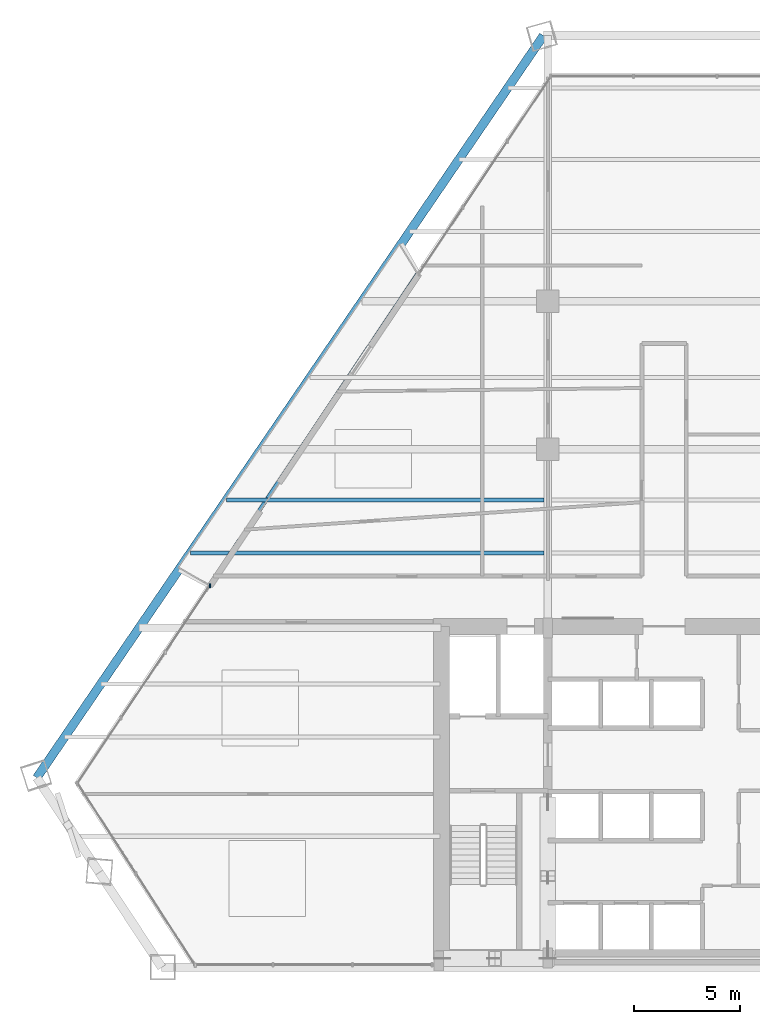
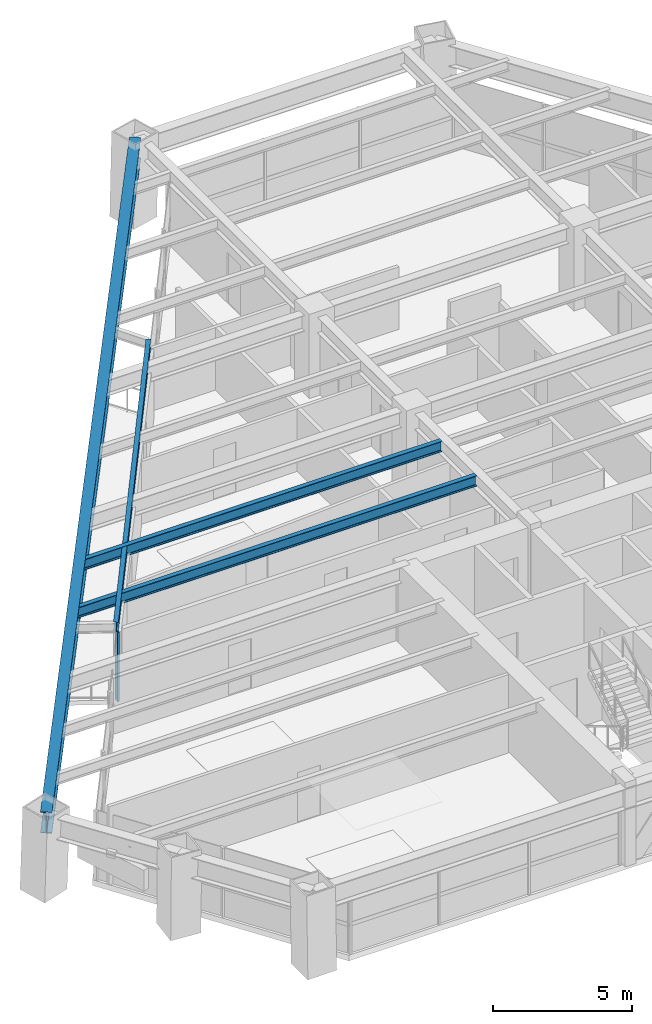
# One storey, part 4 of 14: 4 beams, 1 member, 1 element without a shape of its own.
"""IFC4 building model written with IfcOpenShell, lengths in metres."""

from ifc_helpers import new_model, si_unit, direction, frame, origin, origin_2d, place, context, subcontext, project, spatial, rectangle, i_section, extrude, source, transform, mapped, material, material_profile, profile_set, type_object, type_shapes, element, aggregate, save


model = new_model("IFC4")

# Units and contexts
model_context = context("Model", 3, precision=1e-05, world=origin(), true_north=direction((0.0, 1.0)))
body_context = subcontext(model_context, "Body", "Model", "MODEL_VIEW")
ifc_project = project(units=[si_unit("LENGTHUNIT", "METRE"), si_unit("AREAUNIT", "SQUARE_METRE"), si_unit("VOLUMEUNIT", "CUBIC_METRE"), si_unit("PLANEANGLEUNIT", "RADIAN"), si_unit("MASSUNIT", "GRAM", prefix="KILO")], contexts=[model_context])

# Site, building, storey
site_placement = place(None, origin())
site = spatial("IfcSite", under=ifc_project, at=site_placement, CompositionType="ELEMENT")
building_placement = place(site_placement, origin())
building = spatial("IfcBuilding", under=site, at=building_placement, Name="Varnakhor Terracotta Tower", CompositionType="ELEMENT")
storey_placement = place(building_placement, frame((0.0, 0.0, 102.5)))
storey = spatial("IfcBuildingStorey", under=building, at=storey_placement, Name="L25", CompositionType="ELEMENT", Elevation=102.5)

# Beams
ifc_material_1 = material(Name="Steel S355", Category="steel")
ifc_material_profile_1 = material_profile(ifc_material_1, i_section(OverallWidth=0.41796875, OverallDepth=0.927001953125, WebThickness=0.01904296875, FlangeThickness=0.031982421875, FilletRadius=0.01806640625, at=origin_2d()), Name="W36X231")
ifc_profile_set_1 = profile_set([ifc_material_profile_1], Name="Steel S355")
beam_type_1 = type_object("IfcBeamType", Name="BM-W36X231", PredefinedType="BEAM", material=ifc_profile_set_1)
shared_shape_1 = source(origin(), body_context, "Body", "SweptSolid", [
    extrude(i_section(OverallWidth=0.41796875, OverallDepth=0.927001953125, WebThickness=0.01904296875, FlangeThickness=0.031982421875, FilletRadius=0.01806640625, at=origin_2d()), origin(), (0.0, 0.0, 1.0), 42.5029296875),
])
beam_1_placement = place(storey_placement, frame((-5.705078125, 44.0673828125, 2.986572265625), z_axis=(-0.563835430088, -0.825887164071, 0.0), x_axis=(0.825887164071, -0.563835430088, 0.0)))
element("IfcBeam", 1, at=beam_1_placement, inside=storey, type_object=beam_type_1, Name="L25 Perimeter Spandrel 6", PredefinedType="BEAM", context=body_context, shape_type="MappedRepresentation", body=[
    mapped(shared_shape_1, transform((0.0, 0.0, 0.0), scale=1.0)),
])
ifc_material_profile_2 = material_profile(ifc_material_1, i_section(OverallWidth=0.179931640625, OverallDepth=0.39990234375, WebThickness=0.008544921875, FlangeThickness=0.013427734375, FilletRadius=0.01806640625, at=origin_2d()), Name="IPE400")
ifc_profile_set_2 = profile_set([ifc_material_profile_2], Name="Steel S355")
beam_type_2 = type_object("IfcBeamType", Name="JST-IPE400", PredefinedType="JOIST", material=ifc_profile_set_2)
shared_shape_2 = source(origin(), body_context, "Body", "SweptSolid", [
    extrude(i_section(OverallWidth=0.179931640625, OverallDepth=0.39990234375, WebThickness=0.008544921875, FlangeThickness=0.013427734375, FilletRadius=0.01806640625, at=origin_2d()), origin(), (0.0, 0.0, 1.0), 17.828857421875),
])
beam_2_placement = place(storey_placement, frame((-11.627197265625, 32.85888671875, 3.25), z_axis=(-0.555695210114, -0.83138609169, 0.0), x_axis=(0.83138609169, -0.555695210114, 0.0)))
element("IfcBeam", 2, at=beam_2_placement, inside=storey, type_object=beam_type_2, Name="L25 Loggia Edge Beam 2", PredefinedType="JOIST", context=body_context, shape_type="MappedRepresentation", body=[
    mapped(shared_shape_2, transform((0.0, 0.0, 0.0), scale=1.0)),
])
ifc_material_profile_3 = material_profile(ifc_material_1, i_section(OverallWidth=0.19189453125, OverallDepth=0.462890625, WebThickness=0.010498046875, FlangeThickness=0.017578125, FilletRadius=0.01806640625, at=origin_2d()), Name="W18X60")
ifc_profile_set_3 = profile_set([ifc_material_profile_3], Name="Steel S355")
beam_type_3 = type_object("IfcBeamType", Name="JST-W18X60", PredefinedType="JOIST", material=ifc_profile_set_3)
shared_shape_3 = source(origin(), body_context, "Body", "SweptSolid", [
    extrude(i_section(OverallWidth=0.19189453125, OverallDepth=0.462890625, WebThickness=0.010498046875, FlangeThickness=0.017578125, FilletRadius=0.01806640625, at=origin_2d()), origin(), (0.0, 0.0, 1.0), 16.7353515625),
])
beam_3_placement = place(storey_placement, frame((-22.408935546875, 19.60009765625, 3.218505859375), z_axis=(1.0, 0.0, 0.0), x_axis=(0.0, 1.0, 0.0)))
element("IfcBeam", 3, at=beam_3_placement, inside=storey, type_object=beam_type_3, Name="L25 Composite Floor Joist 4-1", PredefinedType="JOIST", context=body_context, shape_type="MappedRepresentation", body=[
    mapped(shared_shape_3, transform((0.0, 0.0, 0.0), scale=1.0)),
])
shared_shape_4 = source(origin(), body_context, "Body", "SweptSolid", [
    extrude(i_section(OverallWidth=0.19189453125, OverallDepth=0.462890625, WebThickness=0.010498046875, FlangeThickness=0.017578125, FilletRadius=0.01806640625, at=origin_2d()), origin(), (0.0, 0.0, 1.0), 15.028564453125),
])
beam_4_placement = place(storey_placement, frame((-20.7021484375, 22.10009765625, 3.218505859375), z_axis=(1.0, 0.0, 0.0), x_axis=(0.0, 1.0, 0.0)))
element("IfcBeam", 4, at=beam_4_placement, inside=storey, type_object=beam_type_3, Name="L25 Composite Floor Joist 5-1", PredefinedType="JOIST", context=body_context, shape_type="MappedRepresentation", body=[
    mapped(shared_shape_4, transform((0.0, 0.0, 0.0), scale=1.0)),
])

# Curtain wall, member
ifc_material_2 = material(Name="Anodised Aluminium Curtain Wall System", Category="aluminium")
curtain_wall_type = type_object("IfcCurtainWallType", Name="CW-SYS-LOW-OFFICE", PredefinedType="NOTDEFINED", material=ifc_material_2)
curtain_wall_placement = place(storey_placement, origin())
curtain_wall = element("IfcCurtainWall", 5, at=curtain_wall_placement, inside=storey, type_object=curtain_wall_type, Name="L25 W Facet Curtain Wall 1", PredefinedType="NOTDEFINED")
ifc_material_3 = material(Name="Anodised Aluminium 6063-T6", Category="aluminium")
ifc_material_profile_4 = material_profile(ifc_material_3, rectangle(XDim=0.074951171875, YDim=0.18505859375, at=origin_2d()), Name="ALU MULLION 75x185")
ifc_profile_set_4 = profile_set([ifc_material_profile_4], Name="Anodised Aluminium 6063-T6")
member_type = type_object("IfcMemberType", Name="CWM-02", PredefinedType="MULLION", material=ifc_profile_set_4)
shared_shape_5 = source(origin(), body_context, "Body", "SweptSolid", [
    extrude(rectangle(XDim=0.074951171875, YDim=0.18505859375, at=origin_2d()), origin(), (0.0, 0.0, 1.0), 3.030029296875),
])
type_shapes(member_type, [shared_shape_5])
member_placement = place(storey_placement, frame((-21.47509765625, 18.0380859375, 0.0), z_axis=(0.0, 0.0, 1.0), x_axis=(1.0, 0.0, 0.0)))
member = element("IfcMember", 6, at=member_placement, type_object=member_type, Name="L25 W Loggia Jamb Closure Mullion 1", PredefinedType="MULLION", context=body_context, shape_type="MappedRepresentation", body=[
    mapped(shared_shape_5, transform((0.0, 0.0, 0.0), scale=1.0)),
])
aggregate(curtain_wall, [member])

save(model, "model.ifc")
